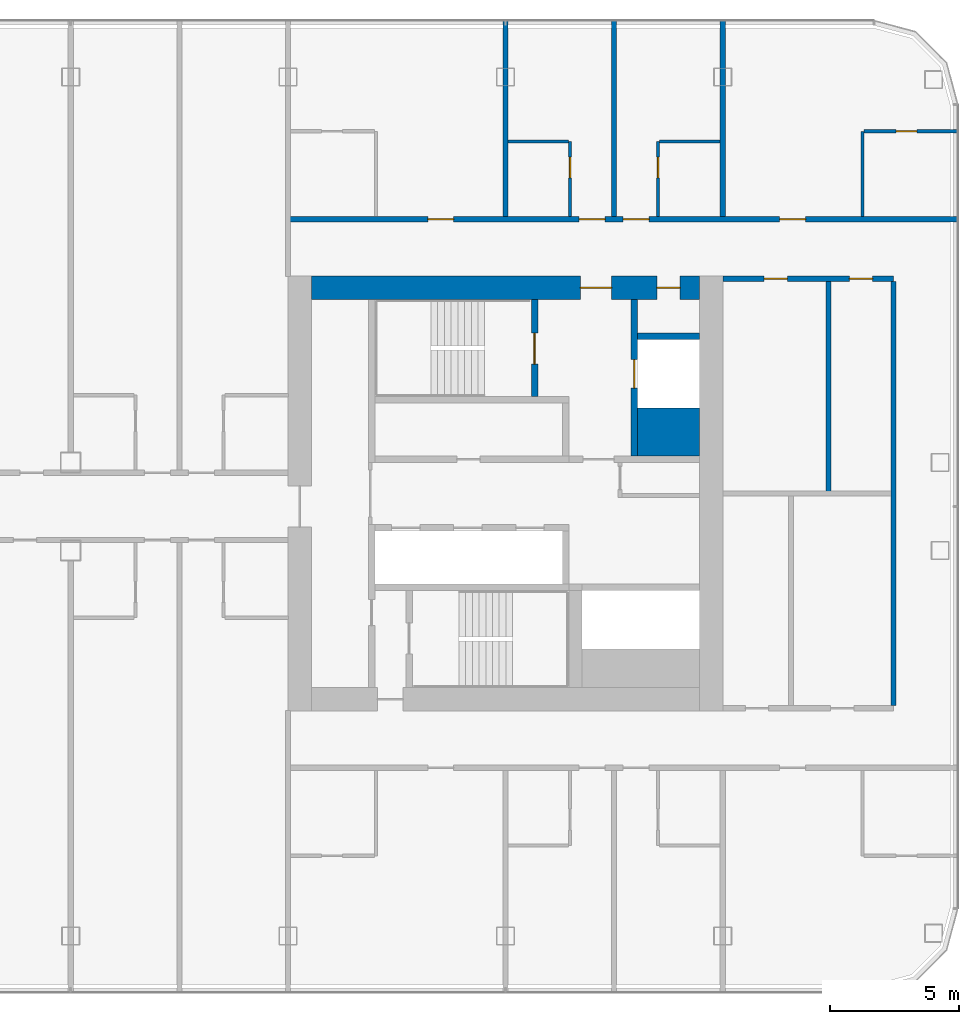
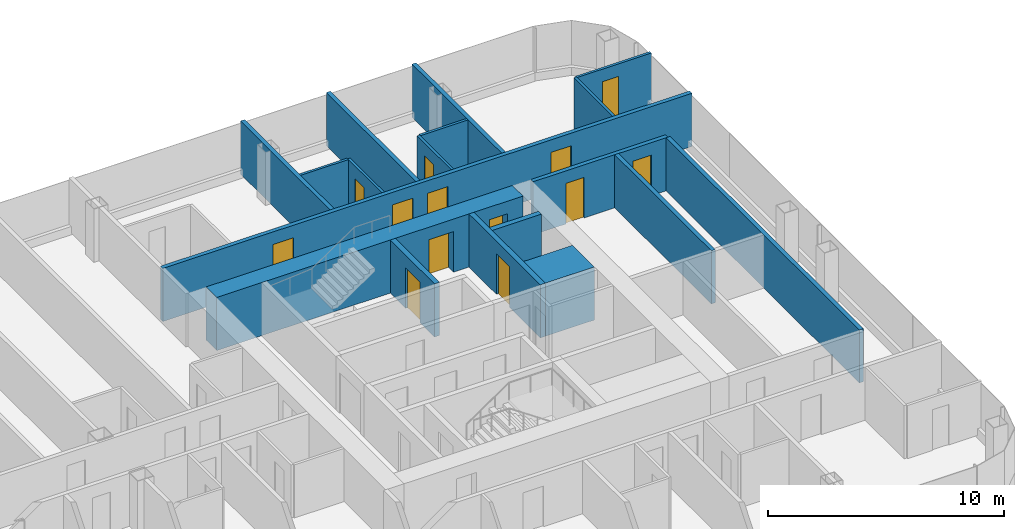
# One storey, part 17 of 26: 18 walls, 13 doors, 13 openings.
"""IFC4 building model written with IfcOpenShell, lengths in metres."""

from ifc_helpers import new_model, si_unit, direction, frame, frame_2d, origin, place, context, subcontext, project, spatial, rectangle, extrude, material, layer, layer_set, type_object, element, fill, save


model = new_model("IFC4")

# Units and contexts
model_context = context("Model", 3, precision=1e-05, world=origin(), true_north=direction((0.0, 1.0)))
body_context = subcontext(model_context, "Body", "Model", "MODEL_VIEW")
ifc_project = project(units=[si_unit("LENGTHUNIT", "METRE"), si_unit("AREAUNIT", "SQUARE_METRE"), si_unit("VOLUMEUNIT", "CUBIC_METRE"), si_unit("PLANEANGLEUNIT", "RADIAN"), si_unit("MASSUNIT", "GRAM", prefix="KILO")], contexts=[model_context])

# Site, building, storey
site_placement = place(None, origin())
site = spatial("IfcSite", under=ifc_project, at=site_placement, CompositionType="ELEMENT")
building_placement = place(site_placement, origin())
building = spatial("IfcBuilding", under=site, at=building_placement, Name="Hakoniwa Tower and Hamabe Station Hall", CompositionType="ELEMENT")
storey_placement = place(building_placement, frame((0.0, 0.0, 169.39990234375)))
storey = spatial("IfcBuildingStorey", under=building, at=storey_placement, Name="L48", CompositionType="ELEMENT", Elevation=169.39990234375)

# Walls
ifc_material_1 = material(Name="Gypsum board partition", Category="gypsum")
ifc_layer_1 = layer(ifc_material_1, 0.125)
ifc_layer_set_1 = layer_set([ifc_layer_1], Name="Bathroom Partition 125")
wall_type_1 = type_object("IfcWallType", Name="Bathroom Partition 125", PredefinedType="PARTITIONING", material=ifc_layer_set_1)
for number, where, z_axis, x_axis, name in (
    (1, (25.300048828125, 13.60009765625, 0.0), (0.0, 0.0, 1.0), (1.0, 0.0, 0.0), "GW-L48-031"),
    (2, (31.16259765625, 13.60009765625, 0.0), (0.0, 0.0, 1.0), (1.0, 0.0, 0.0), "GW-L48-032"),
):
    element("IfcWall", number, at=place(storey_placement, frame(where, z_axis=z_axis, x_axis=x_axis)), inside=storey, type_object=wall_type_1, Name=name, PredefinedType="PARTITIONING", context=body_context, shape_type="SweptSolid", body=[
        extrude(rectangle(XDim=2.33740234375, YDim=0.125, at=frame_2d((1.168701171875, 0.0))), origin(), (0.0, 0.0, 1.0), 2.75),
    ])

# Wall, opening, door
wall_1_placement = place(storey_placement, frame((39.0625, 14.0, 0.0), z_axis=(0.0, 0.0, 1.0), x_axis=(1.0, 0.0, 0.0)))
wall_1 = element("IfcWall", 3, at=wall_1_placement, inside=storey, type_object=wall_type_1, Name="GW-L48-035", PredefinedType="PARTITIONING", context=body_context, shape_type="SweptSolid", body=[
    extrude(rectangle(XDim=3.637451171875, YDim=0.125, at=frame_2d((1.81884765625, 0.0))), origin(), (0.0, 0.0, 1.0), 2.75),
])
opening_1_placement = place(wall_1_placement, frame((1.237548828125, 0.0, 0.0)))
opening_1 = element("IfcOpeningElement", 4, at=opening_1_placement, cuts=wall_1, Name="Opening GD-G3C2-48", PredefinedType="OPENING", context=body_context, shape_type="SweptSolid", body=[
    extrude(rectangle(XDim=0.800048828125, YDim=2.10009765625, at=frame_2d((0.39990234375, 1.050048828125))), frame((0.0, 0.072509765625, 0.0), z_axis=(0.0, -1.0, 0.0), x_axis=(1.0, 0.0, 0.0)), (0.0, 0.0, 1.0), 0.14501953125),
])
ifc_material_2 = material(Name="Timber door leaf", Category="wood")
door_type_1 = type_object("IfcDoorType", Name="Bathroom Door 800", OperationType="SINGLE_SWING_LEFT", PredefinedType="DOOR", material=ifc_material_2)
door_1_placement = place(opening_1_placement, origin())
door_1 = element("IfcDoor", 5, at=door_1_placement, inside=storey, type_object=door_type_1, Name="Door GD-G3C2-48", OperationType="SINGLE_SWING_LEFT", OverallHeight=2.10009765625, OverallWidth=0.800048828125, PredefinedType="DOOR", context=body_context, shape_type="SweptSolid", body=[
    extrude(rectangle(XDim=0.800048828125, YDim=2.10009765625, at=frame_2d((0.39990234375, 1.050048828125))), frame((0.0, 0.02490234375, 0.0), z_axis=(0.0, -1.0, 0.0), x_axis=(1.0, 0.0, 0.0)), (0.0, 0.0, 1.0), 0.050048828125),
])
fill(opening_1, door_1)

wall_2_placement = place(storey_placement, frame((27.699951171875, 10.699951171875, 0.0), z_axis=(0.0, 0.0, 1.0), x_axis=(0.0, 1.0, 0.0)))
wall_2 = element("IfcWall", 6, at=wall_2_placement, inside=storey, type_object=wall_type_1, Name="GW-L48-084", PredefinedType="PARTITIONING", context=body_context, shape_type="SweptSolid", body=[
    extrude(rectangle(XDim=2.900146484375, YDim=0.125, at=frame_2d((1.4501953125, 0.0))), origin(), (0.0, 0.0, 1.0), 2.75),
])
opening_2_placement = place(wall_2_placement, frame((1.5, 0.0, 0.0)))
opening_2 = element("IfcOpeningElement", 7, at=opening_2_placement, cuts=wall_2, Name="Opening GD-G3C2-62", PredefinedType="OPENING", context=body_context, shape_type="SweptSolid", body=[
    extrude(rectangle(XDim=0.800048828125, YDim=2.10009765625, at=frame_2d((0.39990234375, 1.050048828125))), frame((0.0, 0.072509765625, 0.0), z_axis=(0.0, -1.0, 0.0), x_axis=(1.0, 0.0, 0.0)), (0.0, 0.0, 1.0), 0.14501953125),
])
door_2_placement = place(opening_2_placement, origin())
door_2 = element("IfcDoor", 8, at=door_2_placement, inside=storey, type_object=door_type_1, Name="Door GD-G3C2-62", OperationType="SINGLE_SWING_LEFT", OverallHeight=2.10009765625, OverallWidth=0.800048828125, PredefinedType="DOOR", context=body_context, shape_type="SweptSolid", body=[
    extrude(rectangle(XDim=0.800048828125, YDim=2.10009765625, at=frame_2d((0.39990234375, 1.050048828125))), frame((0.0, 0.02490234375, 0.0), z_axis=(0.0, -1.0, 0.0), x_axis=(1.0, 0.0, 0.0)), (0.0, 0.0, 1.0), 0.050048828125),
])
fill(opening_2, door_2)

wall_3_placement = place(storey_placement, frame((31.10009765625, 10.699951171875, 0.0), z_axis=(0.0, 0.0, 1.0), x_axis=(0.0, 1.0, 0.0)))
wall_3 = element("IfcWall", 9, at=wall_3_placement, inside=storey, type_object=wall_type_1, Name="GW-L48-088", PredefinedType="PARTITIONING", context=body_context, shape_type="SweptSolid", body=[
    extrude(rectangle(XDim=2.900146484375, YDim=0.125, at=frame_2d((1.4501953125, 0.0))), origin(), (0.0, 0.0, 1.0), 2.75),
])
opening_3_placement = place(wall_3_placement, frame((1.5, 0.0, 0.0)))
opening_3 = element("IfcOpeningElement", 10, at=opening_3_placement, cuts=wall_3, Name="Opening GD-G3C2-64", PredefinedType="OPENING", context=body_context, shape_type="SweptSolid", body=[
    extrude(rectangle(XDim=0.800048828125, YDim=2.10009765625, at=frame_2d((0.39990234375, 1.050048828125))), frame((0.0, 0.072509765625, 0.0), z_axis=(0.0, -1.0, 0.0), x_axis=(1.0, 0.0, 0.0)), (0.0, 0.0, 1.0), 0.14501953125),
])
door_3_placement = place(opening_3_placement, origin())
door_3 = element("IfcDoor", 11, at=door_3_placement, inside=storey, type_object=door_type_1, Name="Door GD-G3C2-64", OperationType="SINGLE_SWING_RIGHT", OverallHeight=2.10009765625, OverallWidth=0.800048828125, PredefinedType="DOOR", context=body_context, shape_type="SweptSolid", body=[
    extrude(rectangle(XDim=0.800048828125, YDim=2.10009765625, at=frame_2d((0.39990234375, 1.050048828125))), frame((0.0, 0.02490234375, 0.0), z_axis=(0.0, -1.0, 0.0), x_axis=(1.0, 0.0, 0.0)), (0.0, 0.0, 1.0), 0.050048828125),
])
fill(opening_3, door_3)

# Wall
wall_4_placement = place(storey_placement, frame((39.0, 10.699951171875, 0.0), z_axis=(0.0, 0.0, 1.0), x_axis=(0.0, 1.0, 0.0)))
element("IfcWall", 12, at=wall_4_placement, inside=storey, type_object=wall_type_1, Name="GW-L48-094", PredefinedType="PARTITIONING", context=body_context, shape_type="SweptSolid", body=[
    extrude(rectangle(XDim=3.300048828125, YDim=0.125, at=frame_2d((1.64990234375, 0.0))), origin(), (0.0, 0.0, 1.0), 2.75),
])

# Wall, openings, doors
ifc_material_3 = material(Name="Concrete C66", Category="concrete")
ifc_layer_2 = layer(ifc_material_3, 0.89990234375)
ifc_layer_set_2 = layer_set([ifc_layer_2], Name="CORE WALL 900 C66")
wall_type_2 = type_object("IfcWallType", Name="CORE WALL 900 C66", PredefinedType="SHEAR", material=ifc_layer_set_2)
wall_5_placement = place(storey_placement, frame((17.699951171875, 7.949951171875, 0.0), z_axis=(0.0, 0.0, 1.0), x_axis=(1.0, 0.0, 0.0)))
wall_5 = element("IfcWall", 13, at=wall_5_placement, inside=storey, type_object=wall_type_2, Name="Core wall NORTH east", PredefinedType="SHEAR", context=body_context, shape_type="SweptSolid", body=[
    extrude(rectangle(XDim=15.0, YDim=0.89990234375, at=frame_2d((7.5, 0.0))), origin(), (0.0, 0.0, 1.0), 2.75),
])
opening_4_placement = place(wall_5_placement, frame((10.39990234375, 0.0, 0.0)))
opening_4 = element("IfcOpeningElement", 14, at=opening_4_placement, cuts=wall_5, Name="Opening CD-E-FN1-12", PredefinedType="OPENING", context=body_context, shape_type="SweptSolid", body=[
    extrude(rectangle(XDim=1.199951171875, YDim=2.10009765625, at=frame_2d((0.60009765625, 1.050048828125))), frame((0.0, 0.4599609375, 0.0), z_axis=(0.0, -1.0, 0.0), x_axis=(1.0, 0.0, 0.0)), (0.0, 0.0, 1.0), 0.919921875),
])
opening_5_placement = place(wall_5_placement, frame((13.35009765625, 0.0, 0.0)))
opening_5 = element("IfcOpeningElement", 15, at=opening_5_placement, cuts=wall_5, Name="Opening CD-E-FN2-9", PredefinedType="OPENING", context=body_context, shape_type="SweptSolid", body=[
    extrude(rectangle(XDim=0.89990234375, YDim=2.10009765625, at=frame_2d((0.449951171875, 1.050048828125))), frame((0.0, 0.4599609375, 0.0), z_axis=(0.0, -1.0, 0.0), x_axis=(1.0, 0.0, 0.0)), (0.0, 0.0, 1.0), 0.919921875),
])
ifc_material_4 = material(Name="Steel fire door", Category="steel")
door_type_2 = type_object("IfcDoorType", Name="CORE DOOR 1200 FD60", OperationType="DOUBLE_DOOR_SINGLE_SWING", PredefinedType="DOOR", material=ifc_material_4)
door_4_placement = place(opening_4_placement, origin())
door_4 = element("IfcDoor", 16, at=door_4_placement, inside=storey, type_object=door_type_2, Name="Stair vestibule door to the fire-fighting lobby", OperationType="DOUBLE_DOOR_SINGLE_SWING", OverallHeight=2.10009765625, OverallWidth=1.199951171875, PredefinedType="DOOR", context=body_context, shape_type="SweptSolid", body=[
    extrude(rectangle(XDim=1.199951171875, YDim=2.10009765625, at=frame_2d((0.60009765625, 1.050048828125))), frame((0.0, 0.02490234375, 0.0), z_axis=(0.0, -1.0, 0.0), x_axis=(1.0, 0.0, 0.0)), (0.0, 0.0, 1.0), 0.050048828125),
])
fill(opening_4, door_4)
ifc_material_5 = material(Name="Steel fire door", Category="steel")
door_type_3 = type_object("IfcDoorType", Name="CORE DOOR 900 FD30", OperationType="NOTDEFINED", PredefinedType="DOOR", material=ifc_material_5)
door_5_placement = place(opening_5_placement, origin())
door_5 = element("IfcDoor", 17, at=door_5_placement, inside=storey, type_object=door_type_3, Name="Riser access door", OperationType="SINGLE_SWING_RIGHT", OverallHeight=2.10009765625, OverallWidth=0.89990234375, PredefinedType="DOOR", context=body_context, shape_type="SweptSolid", body=[
    extrude(rectangle(XDim=0.89990234375, YDim=2.10009765625, at=frame_2d((0.449951171875, 1.050048828125))), frame((0.0, 0.02490234375, 0.0), z_axis=(0.0, -1.0, 0.0), x_axis=(1.0, 0.0, 0.0)), (0.0, 0.0, 1.0), 0.050048828125),
])
fill(opening_5, door_5)

# Wall
ifc_material_6 = material(Name="Concrete C66", Category="concrete")
ifc_layer_3 = layer(ifc_material_6, 1.85009765625)
ifc_layer_set_3 = layer_set([ifc_layer_3], Name="CORE WEB WALL 1850 C66")
wall_type_3 = type_object("IfcWallType", Name="CORE WEB WALL 1850 C66", PredefinedType="SHEAR", material=ifc_layer_set_3)
wall_6_placement = place(storey_placement, frame((30.300048828125, 2.375, 0.0), z_axis=(0.0, 0.0, 1.0), x_axis=(1.0, 0.0, 0.0)))
element("IfcWall", 18, at=wall_6_placement, inside=storey, type_object=wall_type_3, Name="Core wall CA east", PredefinedType="SHEAR", context=body_context, shape_type="SweptSolid", body=[
    extrude(rectangle(XDim=2.39990234375, YDim=1.85009765625, at=frame_2d((1.199951171875, 0.0))), origin(), (0.0, 0.0, 1.0), 2.75),
])

# Wall, opening, door
ifc_material_7 = material(Name="Concrete C66", Category="concrete")
ifc_layer_4 = layer(ifc_material_7, 0.25)
ifc_layer_set_4 = layer_set([ifc_layer_4], Name="CORE WEB WALL 250 C66")
wall_type_4 = type_object("IfcWallType", Name="CORE WEB WALL 250 C66", PredefinedType="SHEAR", material=ifc_layer_set_4)
wall_7_placement = place(storey_placement, frame((26.324951171875, 3.75, 0.0), z_axis=(0.0, 0.0, 1.0), x_axis=(0.0, 1.0, 0.0)))
wall_7 = element("IfcWall", 19, at=wall_7_placement, inside=storey, type_object=wall_type_4, Name="Core wall NSE east", PredefinedType="SHEAR", context=body_context, shape_type="SweptSolid", body=[
    extrude(rectangle(XDim=3.75, YDim=0.25, at=frame_2d((1.875, 0.0))), origin(), (0.0, 0.0, 1.0), 2.75),
])
opening_6_placement = place(wall_7_placement, frame((1.25, 0.0, 0.0)))
opening_6 = element("IfcOpeningElement", 20, at=opening_6_placement, cuts=wall_7, Name="Opening CD-E-SN-12", PredefinedType="OPENING", context=body_context, shape_type="SweptSolid", body=[
    extrude(rectangle(XDim=1.199951171875, YDim=2.10009765625, at=frame_2d((0.60009765625, 1.050048828125))), frame((0.0, 0.135009765625, 0.0), z_axis=(0.0, -1.0, 0.0), x_axis=(1.0, 0.0, 0.0)), (0.0, 0.0, 1.0), 0.27001953125),
])
door_6_placement = place(opening_6_placement, origin())
door_6 = element("IfcDoor", 21, at=door_6_placement, inside=storey, type_object=door_type_2, Name="Escape stair door", OperationType="DOUBLE_DOOR_SINGLE_SWING", OverallHeight=2.10009765625, OverallWidth=1.199951171875, PredefinedType="DOOR", context=body_context, shape_type="SweptSolid", body=[
    extrude(rectangle(XDim=1.199951171875, YDim=2.10009765625, at=frame_2d((0.60009765625, 1.050048828125))), frame((0.0, 0.02490234375, 0.0), z_axis=(0.0, -1.0, 0.0), x_axis=(1.0, 0.0, 0.0)), (0.0, 0.0, 1.0), 0.050048828125),
])
fill(opening_6, door_6)

wall_8_placement = place(storey_placement, frame((30.175048828125, 1.449951171875, 0.0), z_axis=(0.0, 0.0, 1.0), x_axis=(0.0, 1.0, 0.0)))
wall_8 = element("IfcWall", 22, at=wall_8_placement, inside=storey, type_object=wall_type_4, Name="Core wall FFF east", PredefinedType="SHEAR", context=body_context, shape_type="SweptSolid", body=[
    extrude(rectangle(XDim=6.050048828125, YDim=0.25, at=frame_2d((3.02490234375, 0.0))), origin(), (0.0, 0.0, 1.0), 2.75),
])
opening_7_placement = place(wall_8_placement, frame((2.625, 0.0, 0.0)))
opening_7 = element("IfcOpeningElement", 23, at=opening_7_placement, cuts=wall_8, Name="Opening LD-FF2", PredefinedType="OPENING", context=body_context, shape_type="SweptSolid", body=[
    extrude(rectangle(XDim=1.10009765625, YDim=2.10009765625, at=frame_2d((0.550048828125, 1.050048828125))), frame((0.0, 0.135009765625, 0.0), z_axis=(0.0, -1.0, 0.0), x_axis=(1.0, 0.0, 0.0)), (0.0, 0.0, 1.0), 0.27001953125),
])
ifc_material_8 = material(Name="Stainless steel SUS304", Category="steel")
door_type_4 = type_object("IfcDoorType", Name="LIFT LANDING DOOR 1100 FD60", OperationType="DOUBLE_DOOR_SLIDING", PredefinedType="DOOR", material=ifc_material_8)
door_7_placement = place(opening_7_placement, origin())
door_7 = element("IfcDoor", 24, at=door_7_placement, inside=storey, type_object=door_type_4, Name="Lift landing door FF2 L48", OperationType="DOUBLE_DOOR_SLIDING", OverallHeight=2.10009765625, OverallWidth=1.10009765625, PredefinedType="DOOR", context=body_context, shape_type="SweptSolid", body=[
    extrude(rectangle(XDim=1.10009765625, YDim=2.10009765625, at=frame_2d((0.550048828125, 1.050048828125))), frame((0.0, 0.02490234375, 0.0), z_axis=(0.0, -1.0, 0.0), x_axis=(1.0, 0.0, 0.0)), (0.0, 0.0, 1.0), 0.050048828125),
])
fill(opening_7, door_7)

# Wall
wall_9_placement = place(storey_placement, frame((30.300048828125, 6.074951171875, 0.0), z_axis=(0.0, 0.0, 1.0), x_axis=(1.0, 0.0, 0.0)))
element("IfcWall", 25, at=wall_9_placement, inside=storey, type_object=wall_type_4, Name="Core wall C2 east", PredefinedType="SHEAR", context=body_context, shape_type="SweptSolid", body=[
    extrude(rectangle(XDim=2.39990234375, YDim=0.25, at=frame_2d((1.199951171875, 0.0))), origin(), (0.0, 0.0, 1.0), 2.75),
])

# Wall, openings, doors
ifc_material_9 = material(Name="Fire-rated gypsum board partition", Category="gypsum")
ifc_layer_5 = layer(ifc_material_9, 0.199951171875)
ifc_layer_set_5 = layer_set([ifc_layer_5], Name="Corridor Wall 200")
wall_type_5 = type_object("IfcWallType", Name="Corridor Wall 200", PredefinedType="PARTITIONING", material=ifc_layer_set_5)
wall_10_placement = place(storey_placement, frame((33.60009765625, 8.300048828125, 0.0), z_axis=(0.0, 0.0, 1.0), x_axis=(1.0, 0.0, 0.0)))
wall_10 = element("IfcWall", 26, at=wall_10_placement, inside=storey, type_object=wall_type_5, Name="GW-L48-024", PredefinedType="PARTITIONING", context=body_context, shape_type="SweptSolid", body=[
    extrude(rectangle(XDim=6.599853515625, YDim=0.199951171875, at=frame_2d((3.2998046875, 0.0))), origin(), (0.0, 0.0, 1.0), 2.75),
])
opening_8_placement = place(wall_10_placement, frame((1.594970703125, 0.0, 0.0)))
opening_8 = element("IfcOpeningElement", 27, at=opening_8_placement, cuts=wall_10, Name="Opening GD-G3C2-35", PredefinedType="OPENING", context=body_context, shape_type="SweptSolid", body=[
    extrude(rectangle(XDim=0.89990234375, YDim=2.10009765625, at=frame_2d((0.449951171875, 1.050048828125))), frame((0.0, 0.10986328125, 0.0), z_axis=(0.0, -1.0, 0.0), x_axis=(1.0, 0.0, 0.0)), (0.0, 0.0, 1.0), 0.219970703125),
])
opening_9_placement = place(wall_10_placement, frame((4.89501953125, 0.0, 0.0)))
opening_9 = element("IfcOpeningElement", 28, at=opening_9_placement, cuts=wall_10, Name="Opening GD-G3C2-36", PredefinedType="OPENING", context=body_context, shape_type="SweptSolid", body=[
    extrude(rectangle(XDim=0.89990234375, YDim=2.10009765625, at=frame_2d((0.449951171875, 1.050048828125))), frame((0.0, 0.10986328125, 0.0), z_axis=(0.0, -1.0, 0.0), x_axis=(1.0, 0.0, 0.0)), (0.0, 0.0, 1.0), 0.219970703125),
])
ifc_material_10 = material(Name="Timber door leaf", Category="wood")
door_type_5 = type_object("IfcDoorType", Name="Service Door 900", OperationType="SINGLE_SWING_LEFT", PredefinedType="DOOR", material=ifc_material_10)
door_8_placement = place(opening_8_placement, origin())
door_8 = element("IfcDoor", 29, at=door_8_placement, inside=storey, type_object=door_type_5, Name="Door GD-G3C2-35", OperationType="SINGLE_SWING_RIGHT", OverallHeight=2.10009765625, OverallWidth=0.89990234375, PredefinedType="DOOR", context=body_context, shape_type="SweptSolid", body=[
    extrude(rectangle(XDim=0.89990234375, YDim=2.10009765625, at=frame_2d((0.449951171875, 1.050048828125))), frame((0.0, 0.02490234375, 0.0), z_axis=(0.0, -1.0, 0.0), x_axis=(1.0, 0.0, 0.0)), (0.0, 0.0, 1.0), 0.050048828125),
])
fill(opening_8, door_8)
door_9_placement = place(opening_9_placement, origin())
door_9 = element("IfcDoor", 30, at=door_9_placement, inside=storey, type_object=door_type_5, Name="Door GD-G3C2-36", OperationType="SINGLE_SWING_RIGHT", OverallHeight=2.10009765625, OverallWidth=0.89990234375, PredefinedType="DOOR", context=body_context, shape_type="SweptSolid", body=[
    extrude(rectangle(XDim=0.89990234375, YDim=2.10009765625, at=frame_2d((0.449951171875, 1.050048828125))), frame((0.0, 0.02490234375, 0.0), z_axis=(0.0, -1.0, 0.0), x_axis=(1.0, 0.0, 0.0)), (0.0, 0.0, 1.0), 0.050048828125),
])
fill(opening_9, door_9)

wall_11_placement = place(storey_placement, frame((16.800048828125, 10.60009765625, 0.0), z_axis=(0.0, 0.0, 1.0), x_axis=(1.0, 0.0, 0.0)))
wall_11 = element("IfcWall", 31, at=wall_11_placement, inside=storey, type_object=wall_type_5, Name="GW-L48-026", PredefinedType="PARTITIONING", context=body_context, shape_type="SweptSolid", body=[
    extrude(rectangle(XDim=25.89990234375, YDim=0.199951171875, at=frame_2d((12.949951171875, 0.0))), origin(), (0.0, 0.0, 1.0), 2.75),
])
opening_10_placement = place(wall_11_placement, frame((5.39990234375, 0.0, 0.0)))
opening_10 = element("IfcOpeningElement", 32, at=opening_10_placement, cuts=wall_11, Name="Opening GD-G3C2-42", PredefinedType="OPENING", context=body_context, shape_type="SweptSolid", body=[
    extrude(rectangle(XDim=1.0, YDim=2.10009765625, at=frame_2d((0.5, 1.050048828125))), frame((0.0, 0.10986328125, 0.0), z_axis=(0.0, -1.0, 0.0), x_axis=(1.0, 0.0, 0.0)), (0.0, 0.0, 1.0), 0.219970703125),
])
opening_11_placement = place(wall_11_placement, frame((11.25, 0.0, 0.0)))
opening_11 = element("IfcOpeningElement", 33, at=opening_11_placement, cuts=wall_11, Name="Opening GD-G3C2-43", PredefinedType="OPENING", context=body_context, shape_type="SweptSolid", body=[
    extrude(rectangle(XDim=1.0, YDim=2.10009765625, at=frame_2d((0.5, 1.050048828125))), frame((0.0, 0.10986328125, 0.0), z_axis=(0.0, -1.0, 0.0), x_axis=(1.0, 0.0, 0.0)), (0.0, 0.0, 1.0), 0.219970703125),
])
opening_12_placement = place(wall_11_placement, frame((12.949951171875, 0.0, 0.0)))
opening_12 = element("IfcOpeningElement", 34, at=opening_12_placement, cuts=wall_11, Name="Opening GD-G3C2-44", PredefinedType="OPENING", context=body_context, shape_type="SweptSolid", body=[
    extrude(rectangle(XDim=1.0, YDim=2.10009765625, at=frame_2d((0.5, 1.050048828125))), frame((0.0, 0.10986328125, 0.0), z_axis=(0.0, -1.0, 0.0), x_axis=(1.0, 0.0, 0.0)), (0.0, 0.0, 1.0), 0.219970703125),
])
opening_13_placement = place(wall_11_placement, frame((19.0, 0.0, 0.0)))
opening_13 = element("IfcOpeningElement", 35, at=opening_13_placement, cuts=wall_11, Name="Opening GD-G3C2-45", PredefinedType="OPENING", context=body_context, shape_type="SweptSolid", body=[
    extrude(rectangle(XDim=1.0, YDim=2.10009765625, at=frame_2d((0.5, 1.050048828125))), frame((0.0, 0.10986328125, 0.0), z_axis=(0.0, -1.0, 0.0), x_axis=(1.0, 0.0, 0.0)), (0.0, 0.0, 1.0), 0.219970703125),
])
ifc_material_11 = material(Name="Timber door leaf", Category="wood")
door_type_6 = type_object("IfcDoorType", Name="Guest Entrance Door 1000", OperationType="SINGLE_SWING_LEFT", PredefinedType="DOOR", material=ifc_material_11)
door_10_placement = place(opening_10_placement, origin())
door_10 = element("IfcDoor", 36, at=door_10_placement, inside=storey, type_object=door_type_6, Name="Door GD-G3C2-42", OperationType="SINGLE_SWING_RIGHT", OverallHeight=2.10009765625, OverallWidth=1.0, PredefinedType="DOOR", context=body_context, shape_type="SweptSolid", body=[
    extrude(rectangle(XDim=1.0, YDim=2.10009765625, at=frame_2d((0.5, 1.050048828125))), frame((0.0, 0.02490234375, 0.0), z_axis=(0.0, -1.0, 0.0), x_axis=(1.0, 0.0, 0.0)), (0.0, 0.0, 1.0), 0.050048828125),
])
fill(opening_10, door_10)
door_11_placement = place(opening_11_placement, origin())
door_11 = element("IfcDoor", 37, at=door_11_placement, inside=storey, type_object=door_type_6, Name="Door GD-G3C2-43", OperationType="SINGLE_SWING_LEFT", OverallHeight=2.10009765625, OverallWidth=1.0, PredefinedType="DOOR", context=body_context, shape_type="SweptSolid", body=[
    extrude(rectangle(XDim=1.0, YDim=2.10009765625, at=frame_2d((0.5, 1.050048828125))), frame((0.0, 0.02490234375, 0.0), z_axis=(0.0, -1.0, 0.0), x_axis=(1.0, 0.0, 0.0)), (0.0, 0.0, 1.0), 0.050048828125),
])
fill(opening_11, door_11)
door_12_placement = place(opening_12_placement, origin())
door_12 = element("IfcDoor", 38, at=door_12_placement, inside=storey, type_object=door_type_6, Name="Door GD-G3C2-44", OperationType="SINGLE_SWING_RIGHT", OverallHeight=2.10009765625, OverallWidth=1.0, PredefinedType="DOOR", context=body_context, shape_type="SweptSolid", body=[
    extrude(rectangle(XDim=1.0, YDim=2.10009765625, at=frame_2d((0.5, 1.050048828125))), frame((0.0, 0.02490234375, 0.0), z_axis=(0.0, -1.0, 0.0), x_axis=(1.0, 0.0, 0.0)), (0.0, 0.0, 1.0), 0.050048828125),
])
fill(opening_12, door_12)
door_13_placement = place(opening_13_placement, origin())
door_13 = element("IfcDoor", 39, at=door_13_placement, inside=storey, type_object=door_type_6, Name="Door GD-G3C2-45", OperationType="SINGLE_SWING_LEFT", OverallHeight=2.10009765625, OverallWidth=1.0, PredefinedType="DOOR", context=body_context, shape_type="SweptSolid", body=[
    extrude(rectangle(XDim=1.0, YDim=2.10009765625, at=frame_2d((0.5, 1.050048828125))), frame((0.0, 0.02490234375, 0.0), z_axis=(0.0, -1.0, 0.0), x_axis=(1.0, 0.0, 0.0)), (0.0, 0.0, 1.0), 0.050048828125),
])
fill(opening_13, door_13)

# Walls
ifc_material_12 = material(Name="Fire-rated gypsum board partition", Category="gypsum")
ifc_layer_6 = layer(ifc_material_12, 0.199951171875)
ifc_layer_set_6 = layer_set([ifc_layer_6], Name="Party Wall 200")
wall_type_6 = type_object("IfcWallType", Name="Party Wall 200", PredefinedType="PARTITIONING", material=ifc_layer_set_6)
for number, where, z_axis, x_axis, name in (
    (40, (25.199951171875, 10.699951171875, 0.0), (0.0, 0.0, 1.0), (0.0, 1.0, 0.0), "GW-L48-082"),
    (41, (29.39990234375, 10.699951171875, 0.0), (0.0, 0.0, 1.0), (0.0, 1.0, 0.0), "GW-L48-086"),
    (42, (33.60009765625, 10.699951171875, 0.0), (0.0, 0.0, 1.0), (0.0, 1.0, 0.0), "GW-L48-090"),
):
    element("IfcWall", number, at=place(storey_placement, frame(where, z_axis=z_axis, x_axis=x_axis)), inside=storey, type_object=wall_type_6, Name=name, PredefinedType="PARTITIONING", context=body_context, shape_type="SweptSolid", body=[
        extrude(rectangle(XDim=7.60009765625, YDim=0.199951171875, at=frame_2d((3.800048828125, 0.0))), origin(), (0.0, 0.0, 1.0), 2.75),
    ])
wall_12_placement = place(storey_placement, frame((37.68994140625, 0.0, 0.0), z_axis=(0.0, 0.0, 1.0), x_axis=(0.0, 1.0, 0.0)))
element("IfcWall", 43, at=wall_12_placement, inside=storey, type_object=wall_type_6, Name="GW-L48-092", PredefinedType="PARTITIONING", context=body_context, shape_type="SweptSolid", body=[
    extrude(rectangle(XDim=8.199951171875, YDim=0.199951171875, at=frame_2d((4.10009765625, 0.0))), origin(), (0.0, 0.0, 1.0), 2.75),
])
wall_13_placement = place(storey_placement, frame((40.199951171875, -8.199951171875, 0.0), z_axis=(0.0, 0.0, 1.0), x_axis=(0.0, 1.0, 0.0)))
element("IfcWall", 44, at=wall_13_placement, inside=storey, type_object=wall_type_6, Name="GW-L48-095", PredefinedType="PARTITIONING", context=body_context, shape_type="SweptSolid", body=[
    extrude(rectangle(XDim=16.39990234375, YDim=0.199951171875, at=frame_2d((8.199951171875, 0.0))), origin(), (0.0, 0.0, 1.0), 2.75),
])

save(model, "model.ifc")
